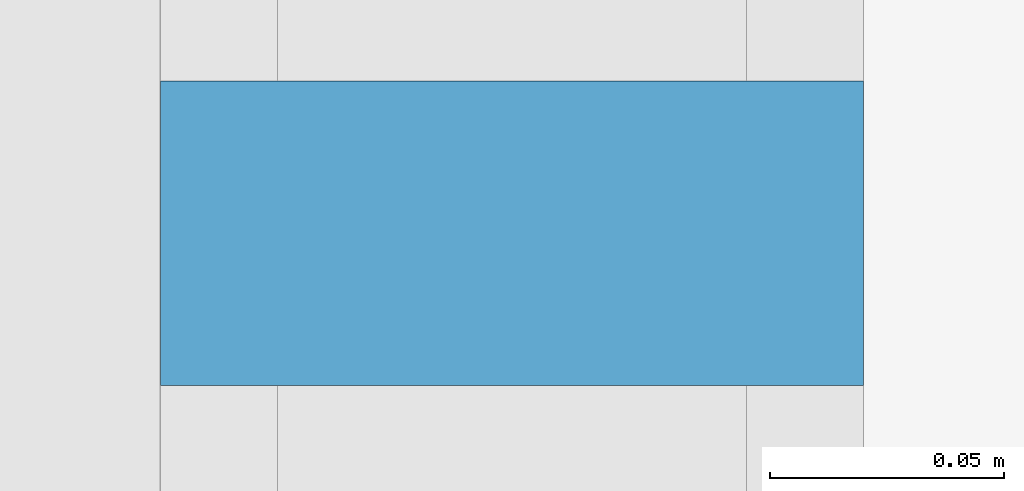
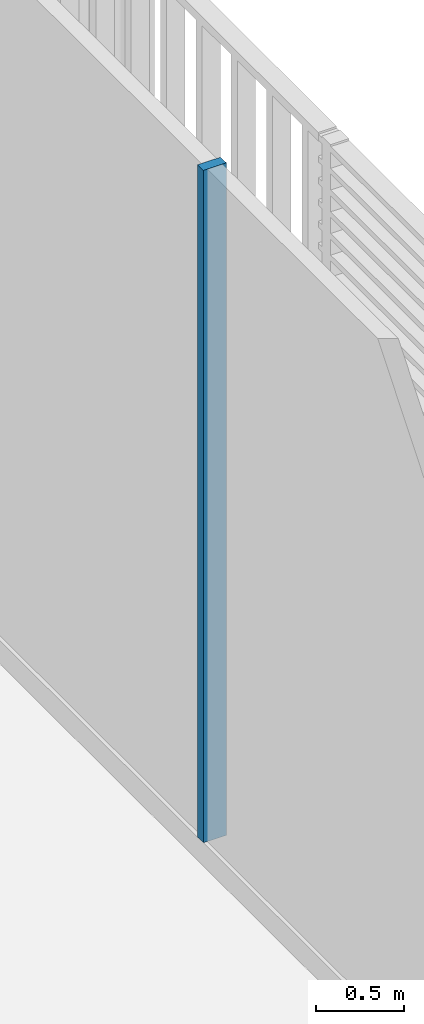
# One storey, part 11 of 22: 1 member, 1 element without a shape of its own.
"""IFC4 building model written with IfcOpenShell, lengths in metres."""

import ifcopenshell
import ifcopenshell.guid

model = None  # the IFC model being written
_history = None  # IfcOwnerHistory: only IFC2X3 demands one
_inside = {}  # id of a spatial element -> (the spatial element, [elements in it])
_under = {}  # id of a project, library or spatial element -> (it, [spatial elements below it])
_declared = {}  # id of a project -> (the project, [libraries it declares])
_typed = {}  # id of a type object -> (the type object, [elements of that type])
_made_of = {}  # id of a material, layer set ... -> (it, [elements and type objects made of it])


def new_model(schema):
    """Start an empty IFC model of exactly this schema.

    Asked for "IFC4X3", IfcOpenShell would pick the latest addendum, in which some entities
    have other attributes; the version numbers below select the first issue.
    IFC2X3 requires an IfcOwnerHistory on every rooted entity: one is made here for all.
    """
    global model, _history
    if schema == "IFC4X3":
        model = ifcopenshell.file(schema_version=(4, 3, 0, 0))
    else:
        model = ifcopenshell.file(schema=schema)
    _inside.clear()
    _under.clear()
    _declared.clear()
    _typed.clear()
    _made_of.clear()
    _history = None
    if model.schema == "IFC2X3":
        org = make("IfcOrganization", Name="unknown")
        user = make(
            "IfcPersonAndOrganization",
            ThePerson=make("IfcPerson", FamilyName="unknown"),
            TheOrganization=org,
        )
        app = make(
            "IfcApplication",
            ApplicationDeveloper=org,
            Version="unknown",
            ApplicationFullName="unknown",
            ApplicationIdentifier="unknown",
        )
        _history = make(
            "IfcOwnerHistory",
            OwningUser=user,
            OwningApplication=app,
            ChangeAction="ADDED",
            CreationDate=0,
        )
    return model


def make(cls, **values):
    """One entity of the class cls with the attributes given. An attribute that is None is left unset."""
    return model.create_entity(
        cls, **{name: value for name, value in values.items() if value is not None}
    )


def rooted(cls, **values):
    """An entity with a GlobalId (a new one), such as an element, a storey or a relation."""
    return make(cls, GlobalId=ifcopenshell.guid.new(), OwnerHistory=_history, **values)


def si_unit(unit_type, name, prefix=None):
    """IfcSIUnit, for example si_unit("LENGTHUNIT", "METRE", prefix="MILLI")."""
    return make("IfcSIUnit", UnitType=unit_type, Prefix=prefix, Name=name)


def assignment(units):
    """IfcUnitAssignment: the units of a project."""
    return None if units is None else make("IfcUnitAssignment", Units=units)


def point(xyz):
    """IfcCartesianPoint."""
    return None if xyz is None else make("IfcCartesianPoint", Coordinates=xyz)


def direction(xyz):
    """IfcDirection."""
    return None if xyz is None else make("IfcDirection", DirectionRatios=xyz)


def frame(location, z_axis=None, x_axis=None):
    """IfcAxis2Placement3D, a coordinate frame: its origin and axes. An axis left out is left unset."""
    return make(
        "IfcAxis2Placement3D",
        Location=point(location),
        Axis=direction(z_axis),
        RefDirection=direction(x_axis),
    )


def frame_2d(location, x_axis=None):
    """IfcAxis2Placement2D, a coordinate frame in the plane: its origin and x axis."""
    return make(
        "IfcAxis2Placement2D", Location=point(location), RefDirection=direction(x_axis)
    )


def origin():
    """The frame at (0, 0, 0) with its axes left unset."""
    return frame((0.0, 0.0, 0.0))


def origin_2d():
    """The frame at (0, 0) in the plane with its x axis left unset."""
    return frame_2d((0.0, 0.0))


def place(relative_to, where):
    """IfcLocalPlacement: puts the frame where relative to a parent placement (None: the world)."""
    return make(
        "IfcLocalPlacement", PlacementRelTo=relative_to, RelativePlacement=where
    )


def context(
    kind, dimensions, precision=None, world=None, true_north=None, identifier=None
):
    """IfcGeometricRepresentationContext, for example the 3D "Model" context."""
    return make(
        "IfcGeometricRepresentationContext",
        ContextIdentifier=identifier,
        ContextType=kind,
        CoordinateSpaceDimension=dimensions,
        Precision=precision,
        WorldCoordinateSystem=world,
        TrueNorth=true_north,
    )


def subcontext(parent, identifier, kind, view, scale=None):
    """IfcGeometricRepresentationSubContext, for example "Body" below "Model"."""
    return make(
        "IfcGeometricRepresentationSubContext",
        ContextIdentifier=identifier,
        ContextType=kind,
        ParentContext=parent,
        TargetScale=scale,
        TargetView=view,
    )


def project(units=None, contexts=None):
    """IfcProject with its units and contexts."""
    return rooted(
        "IfcProject",
        Name="project",
        RepresentationContexts=contexts,
        UnitsInContext=assignment(units),
    )


def spatial(cls, under=None, at=None, **own):
    """A site, building, storey or space (cls), placed at a placement, below another one or the project."""
    s = rooted(cls, ObjectPlacement=at, **own)
    if under is not None:
        _under.setdefault(under.id(), (under, []))[1].append(s)
    return s


def profile(cls, at=None, kind="AREA", **sizes):
    """A parametric profile (cls). Its sizes go by their IFC names, for example OverallWidth=200.0."""
    return make(cls, ProfileType=kind, Position=at, **sizes)


def rectangle(**sizes):
    """IfcRectangleProfileDef."""
    return profile("IfcRectangleProfileDef", **sizes)


def extrude(swept, where, along, depth):
    """IfcExtrudedAreaSolid: the profile swept, set in the frame where, extruded along a direction by depth."""
    return make(
        "IfcExtrudedAreaSolid",
        SweptArea=swept,
        Position=where,
        ExtrudedDirection=direction(along),
        Depth=depth,
    )


def shape(context_of_items, identifier, shape_type, items):
    """IfcShapeRepresentation: the items that make up one representation, for example the "Body"."""
    return make(
        "IfcShapeRepresentation",
        ContextOfItems=context_of_items,
        RepresentationIdentifier=identifier,
        RepresentationType=shape_type,
        Items=items,
    )


def material(Name=None, Category=None):
    """IfcMaterial."""
    return make("IfcMaterial", Name=Name, Category=Category)


def layer(
    of_material, thickness, ventilated=None, Name=None, Category=None, Priority=None
):
    """IfcMaterialLayer: one layer of a wall or slab, of a material (None: an air gap)."""
    return make(
        "IfcMaterialLayer",
        Material=of_material,
        LayerThickness=thickness,
        IsVentilated=ventilated,
        Name=Name,
        Category=Category,
        Priority=Priority,
    )


def layer_set(layers, Name=None):
    """IfcMaterialLayerSet."""
    return make("IfcMaterialLayerSet", MaterialLayers=layers, LayerSetName=Name)


def material_profile(
    of_material, cross_section, Name=None, Category=None, Priority=None
):
    """IfcMaterialProfile: a cross section and its material."""
    return make(
        "IfcMaterialProfile",
        Name=Name,
        Material=of_material,
        Profile=cross_section,
        Priority=Priority,
        Category=Category,
    )


def profile_set(profiles, Name=None, composite=None):
    """IfcMaterialProfileSet."""
    return make(
        "IfcMaterialProfileSet",
        Name=Name,
        MaterialProfiles=profiles,
        CompositeProfile=composite,
    )


def made_of(thing, what):
    """Note that an element or type object is made of a material, layer set ...; save() writes the relation."""
    if what is not None:
        _made_of.setdefault(what.id(), (what, []))[1].append(thing)
    return thing


def type_object(cls, material=None, **own):
    """A type object (cls), such as IfcWallType, which elements share."""
    return made_of(rooted(cls, **own), material)


def element(
    cls,
    number,
    at=None,
    inside=None,
    cuts=None,
    type_object=None,
    material=None,
    context=None,
    identifier="Body",
    shape_type=None,
    held_by="IfcProductDefinitionShape",
    body=None,
    shapes=None,
    **own,
):
    """One element of the class cls, such as IfcWall. Its Tag is "e" and its number.

    at: its placement. inside: the storey or other place that contains it. cuts: it is an
    opening in that element (IfcRelVoidsElement). A single representation is given by context,
    identifier, shape_type and body (its items); several are given by shapes. held_by: the class
    of the entity that holds the representations. save() writes the other relations.
    """
    e = rooted(cls, Tag="e%d" % number, ObjectPlacement=at, **own)
    if body is not None:
        shapes = [shape(context, identifier, shape_type, body)]
    if shapes is not None:
        e.Representation = make(held_by, Representations=shapes)
    if inside is not None:
        _inside.setdefault(inside.id(), (inside, []))[1].append(e)
    if cuts is not None:
        rooted(
            "IfcRelVoidsElement", RelatingBuildingElement=cuts, RelatedOpeningElement=e
        )
    if type_object is not None:
        _typed.setdefault(type_object.id(), (type_object, []))[1].append(e)
    return made_of(e, material)


def aggregate(whole, parts):
    """IfcRelAggregates: a whole, such as a stair, and the parts it consists of."""
    return rooted("IfcRelAggregates", RelatingObject=whole, RelatedObjects=parts)


def save(model, path):
    """Write the relations noted so far, then the file.

    IfcRelAggregates (storeys below a building ...), IfcRelContainedInSpatialStructure (elements
    in a storey), IfcRelDefinesByType, IfcRelAssociatesMaterial and IfcRelDeclares: one each for
    every whole, place, type object, material and project.
    """
    for whole, parts in _under.values():
        aggregate(whole, parts)
    for where, things in _inside.values():
        rooted(
            "IfcRelContainedInSpatialStructure",
            RelatedElements=things,
            RelatingStructure=where,
        )
    for kind, things in _typed.values():
        rooted("IfcRelDefinesByType", RelatedObjects=things, RelatingType=kind)
    for what, things in _made_of.values():
        rooted("IfcRelAssociatesMaterial", RelatedObjects=things, RelatingMaterial=what)
    for by, libraries in _declared.values():
        rooted("IfcRelDeclares", RelatingContext=by, RelatedDefinitions=libraries)
    model.write(path)


model = new_model("IFC4")

# Units and contexts
model_context = context("Model", 3, precision=1e-05, world=origin(), true_north=direction((0.0, 1.0)))
body_context = subcontext(model_context, "Body", "Model", "MODEL_VIEW")
ifc_project = project(units=[si_unit("LENGTHUNIT", "METRE"), si_unit("AREAUNIT", "SQUARE_METRE"), si_unit("VOLUMEUNIT", "CUBIC_METRE"), si_unit("PLANEANGLEUNIT", "RADIAN"), si_unit("MASSUNIT", "GRAM", prefix="KILO")], contexts=[model_context])

# Site, building, storey
site_placement = place(None, origin())
site = spatial("IfcSite", under=ifc_project, at=site_placement, CompositionType="ELEMENT")
building_placement = place(site_placement, origin())
building = spatial("IfcBuilding", under=site, at=building_placement, Name="Millrace Tower", CompositionType="ELEMENT")
storey_placement = place(building_placement, frame((0.0, 0.0, 49.699951171875)))
storey = spatial("IfcBuildingStorey", under=building, at=storey_placement, Name="L11", CompositionType="ELEMENT", Elevation=49.699951171875)

# Curtain wall, member
ifc_material_1 = material(Name="Aluminium and glass", Category="aluminium")
ifc_layer = layer(ifc_material_1, 0.14990234375)
ifc_layer_set = layer_set([ifc_layer], Name="Aluminium and glass")
curtain_wall_type = type_object("IfcCurtainWallType", Name="CW-2 data hall insulated curtain wall", PredefinedType="NOTDEFINED", material=ifc_layer_set)
curtain_wall_placement = place(storey_placement, origin())
curtain_wall = element("IfcCurtainWall", 1, at=curtain_wall_placement, inside=storey, type_object=curtain_wall_type, Name="Curtain wall A-F04 L11", PredefinedType="NOTDEFINED")
ifc_material_2 = material(Name="Aluminium", Category="aluminium")
ifc_material_profile = material_profile(ifc_material_2, rectangle(XDim=0.06494140625, YDim=0.14990234375, at=origin_2d()))
ifc_profile_set = profile_set([ifc_material_profile], Name="Aluminium")
member_type = type_object("IfcMemberType", Name="CW-2 data hall insulated curtain wall mullion", PredefinedType="MULLION", material=ifc_profile_set)
member_placement = place(storey_placement, frame((25.074951171875, 2.382568359375, 0.16015625), z_axis=(0.0, 0.0, 1.0), x_axis=(0.0, 1.0, 0.0)))
member = element("IfcMember", 2, at=member_placement, type_object=member_type, Name="CW2 mullion A-F04.6", PredefinedType="MULLION", context=body_context, shape_type="SweptSolid", body=[
    extrude(rectangle(XDim=0.06494140625, YDim=0.14990234375, at=origin_2d()), origin(), (0.0, 0.0, 1.0), 4.639892578125),
])
aggregate(curtain_wall, [member])

save(model, "model.ifc")
